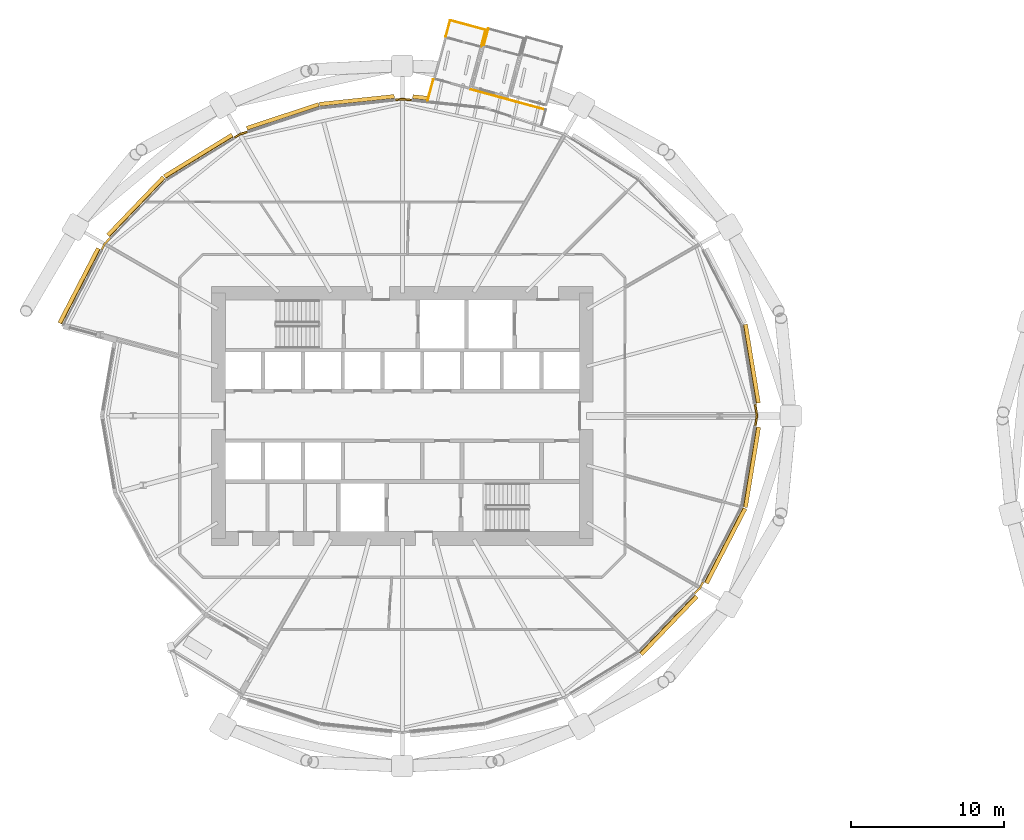
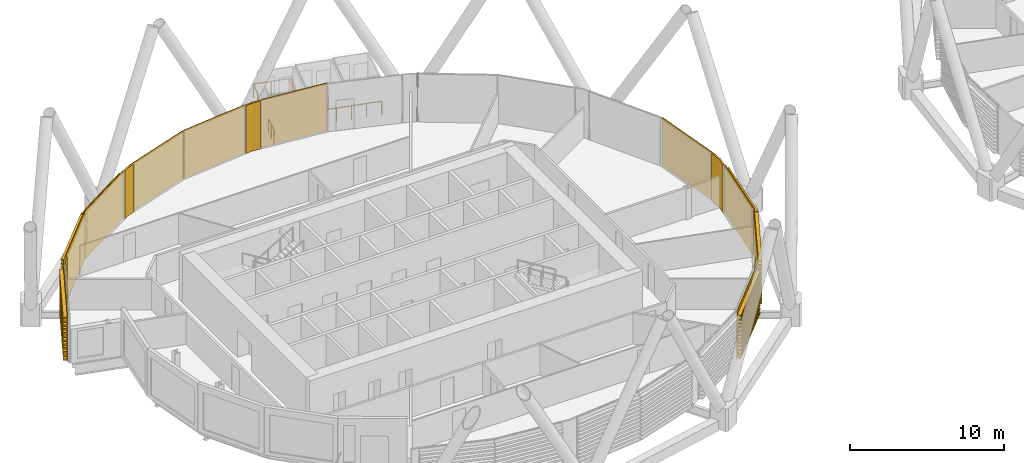
# One storey, part 36 of 40: 15 coverings, 6 railings.
"""IFC4 building model written with IfcOpenShell, lengths in metres."""

from ifc_helpers import new_model, si_unit, direction, frame, origin, origin_2d, place, context, subcontext, project, spatial, polyline, circle, outline, extrude, material, layer, layer_set, material_profile, profile_set, type_object, element, save


model = new_model("IFC4")

# Units and contexts
model_context = context("Model", 3, precision=1e-05, world=origin(), true_north=direction((0.0, 1.0)))
body_context = subcontext(model_context, "Body", "Model", "MODEL_VIEW")
ifc_project = project(units=[si_unit("LENGTHUNIT", "METRE"), si_unit("AREAUNIT", "SQUARE_METRE"), si_unit("VOLUMEUNIT", "CUBIC_METRE"), si_unit("PLANEANGLEUNIT", "RADIAN"), si_unit("MASSUNIT", "GRAM", prefix="KILO")], contexts=[model_context])

# Site, building, storey
site_placement = place(None, origin())
site = spatial("IfcSite", under=ifc_project, at=site_placement, CompositionType="ELEMENT")
building_placement = place(site_placement, origin())
building = spatial("IfcBuilding", under=site, at=building_placement, Name="Rimbun Link Towers", CompositionType="ELEMENT")
storey_placement = place(building_placement, frame((0.0, 0.0, 52.800048828125)))
storey = spatial("IfcBuildingStorey", under=building, at=storey_placement, Name="L12", CompositionType="ELEMENT", Elevation=52.800048828125)

# Railings
ifc_material_1 = material(Name="Stainless steel grade 316", Category="steel")
railing_type = type_object("IfcRailingType", Name="GUARD stainless rail and posts", PredefinedType="GUARDRAIL", material=ifc_material_1)
railing_1_placement = place(storey_placement, frame((-26.60498046875, 24.107177734375, 0.0)))
element("IfcRailing", 1, at=railing_1_placement, inside=storey, type_object=railing_type, Name="GUARD D121.01 balcony", PredefinedType="GUARDRAIL", context=body_context, shape_type="SweptSolid", body=[
    extrude(circle(Radius=0.02392578125, at=origin_2d()), frame((0.0, 0.0, 1.076171875), z_axis=(0.261708438276, 0.965146980172, 0.0), x_axis=(-0.965146980172, 0.261708438276, 0.0)), (0.0, 0.0, 1.0), 1.099853515625),
    extrude(circle(Radius=0.02099609375, at=origin_2d()), origin(), (0.0, 0.0, 1.0), 1.052001953125),
    extrude(circle(Radius=0.02099609375, at=origin_2d()), frame((0.287841796875, 1.0615234375, 0.0)), (0.0, 0.0, 1.0), 1.052001953125),
])
railing_2_placement = place(storey_placement, frame((-26.317138671875, 25.168701171875, 0.0)))
element("IfcRailing", 2, at=railing_2_placement, inside=storey, type_object=railing_type, Name="GUARD D121.01 balcony", PredefinedType="GUARDRAIL", context=body_context, shape_type="SweptSolid", body=[
    extrude(circle(Radius=0.02392578125, at=origin_2d()), frame((0.0, 0.0, 1.076171875), z_axis=(-0.965108089312, 0.261851820585, 0.0), x_axis=(-0.261851820585, -0.965108089312, 0.0)), (0.0, 0.0, 1.0), 2.39990234375),
    extrude(circle(Radius=0.02099609375, at=origin_2d()), origin(), (0.0, 0.0, 1.0), 1.052001953125),
    extrude(circle(Radius=0.02099609375, at=origin_2d()), frame((-1.158203125, 0.314208984375, 0.0)), (0.0, 0.0, 1.0), 1.052001953125),
    extrude(circle(Radius=0.02099609375, at=origin_2d()), frame((-2.316162109375, 0.62841796875, 0.0)), (0.0, 0.0, 1.0), 1.052001953125),
])
for number, where, name in (
    (3, (-28.63330078125, 25.797119140625, 0.0), "GUARD D121.01 balcony"),
    (4, (-26.1435546875, 25.24560546875, 0.0), "GUARD D121.02 balcony"),
):
    element("IfcRailing", number, at=place(storey_placement, frame(where)), inside=storey, type_object=railing_type, Name=name, PredefinedType="GUARDRAIL", context=body_context, shape_type="SweptSolid", body=[
        extrude(circle(Radius=0.02392578125, at=origin_2d()), frame((0.0, 0.0, 1.076171875), z_axis=(-0.261915191828, -0.965090893279, 0.0), x_axis=(0.965090893279, -0.261915191828, 0.0)), (0.0, 0.0, 1.0), 1.099853515625),
        extrude(circle(Radius=0.02099609375, at=origin_2d()), origin(), (0.0, 0.0, 1.0), 1.052001953125),
        extrude(circle(Radius=0.02099609375, at=origin_2d()), frame((-0.2880859375, -1.0615234375, 0.0)), (0.0, 0.0, 1.0), 1.052001953125),
    ])
railing_3_placement = place(storey_placement, frame((-29.72900390625, 21.949951171875, 0.0)))
element("IfcRailing", 5, at=railing_3_placement, inside=storey, type_object=railing_type, Name="GUARD D121 gallery", PredefinedType="GUARDRAIL", context=body_context, shape_type="SweptSolid", body=[
    extrude(circle(Radius=0.02392578125, at=origin_2d()), frame((0.0, 0.0, 1.076171875), z_axis=(-0.26175460682, -0.965134459963, 0.0), x_axis=(0.965134459963, -0.26175460682, 0.0)), (0.0, 0.0, 1.0), 1.42529296875),
    extrude(circle(Radius=0.02099609375, at=origin_2d()), origin(), (0.0, 0.0, 1.0), 1.052001953125),
    extrude(circle(Radius=0.02099609375, at=origin_2d()), frame((-0.1865234375, -0.687744140625, 0.0)), (0.0, 0.0, 1.0), 1.052001953125),
    extrude(circle(Radius=0.02099609375, at=origin_2d()), frame((-0.373046875, -1.37548828125, 0.0)), (0.0, 0.0, 1.0), 1.052001953125),
])
railing_4_placement = place(storey_placement, frame((-27.287353515625, 21.287353515625, 0.0)))
element("IfcRailing", 6, at=railing_4_placement, inside=storey, type_object=railing_type, Name="GUARD D121 gallery", PredefinedType="GUARDRAIL", context=body_context, shape_type="SweptSolid", body=[
    extrude(circle(Radius=0.02392578125, at=origin_2d()), frame((0.0, 0.0, 1.076171875), z_axis=(0.965105644262, -0.261860832149, 0.0), x_axis=(0.261860832149, 0.965105644262, 0.0)), (0.0, 0.0, 1.0), 5.064453125),
    extrude(circle(Radius=0.02099609375, at=origin_2d()), origin(), (0.0, 0.0, 1.0), 1.052001953125),
    extrude(circle(Radius=0.02099609375, at=origin_2d()), frame((0.9775390625, -0.26513671875, 0.0)), (0.0, 0.0, 1.0), 1.052001953125),
    extrude(circle(Radius=0.02099609375, at=origin_2d()), frame((1.955078125, -0.530517578125, 0.0)), (0.0, 0.0, 1.0), 1.052001953125),
    extrude(circle(Radius=0.02099609375, at=origin_2d()), frame((2.9326171875, -0.795654296875, 0.0)), (0.0, 0.0, 1.0), 1.052001953125),
    extrude(circle(Radius=0.02099609375, at=origin_2d()), frame((3.91015625, -1.06103515625, 0.0)), (0.0, 0.0, 1.0), 1.052001953125),
    extrude(circle(Radius=0.02099609375, at=origin_2d()), frame((4.8876953125, -1.326171875, 0.0)), (0.0, 0.0, 1.0), 1.052001953125),
])

# Coverings
ifc_material_2 = material(Name="Terracotta", Category="masonry")
ifc_layer = layer(ifc_material_2, 0.1201171875)
ifc_layer_set = layer_set([ifc_layer], Name="LINK PIER terracotta cladding 120")
covering_type_1 = type_object("IfcCoveringType", Name="LINK PIER terracotta cladding 120", PredefinedType="CLADDING", material=ifc_layer_set)
covering_1_placement = place(storey_placement, origin())
element("IfcCovering", 7, at=covering_1_placement, inside=storey, type_object=covering_type_1, Name="LINK PIER cladding", PredefinedType="CLADDING", context=body_context, shape_type="SweptSolid", body=[
    extrude(outline(polyline([(-8.803955078125, 0.759765625), (-8.678955078125, 0.0), (-8.787841796875, -0.6611328125), (-8.669189453125, -0.6806640625), (-8.557373046875, 0.0), (-8.685546875, 0.779296875), (-8.803955078125, 0.759765625)])), origin(), (0.0, 0.0, 1.0), 3.800048828125),
])
covering_2_placement = place(storey_placement, origin())
element("IfcCovering", 8, at=covering_2_placement, inside=storey, type_object=covering_type_1, Name="LINK PIER cladding", PredefinedType="CLADDING", context=body_context, shape_type="SweptSolid", body=[
    extrude(outline(polyline([(-32.217529296875, 20.5498046875), (-31.75, 20.59912109375), (-31.13330078125, 20.5341796875), (-31.120849609375, 20.653564453125), (-31.75, 20.7197265625), (-32.22998046875, 20.669189453125), (-32.217529296875, 20.5498046875)])), origin(), (0.0, 0.0, 1.0), 3.800048828125),
])
covering_3_placement = place(storey_placement, origin())
element("IfcCovering", 9, at=covering_3_placement, inside=storey, type_object=covering_type_1, Name="LINK PIER cladding", PredefinedType="CLADDING", context=body_context, shape_type="SweptSolid", body=[
    extrude(outline(polyline([(-42.678955078125, 18.08984375), (-42.321044921875, 18.3095703125), (-41.827392578125, 18.47314453125), (-41.865234375, 18.5869140625), (-42.371826171875, 18.4189453125), (-42.74169921875, 18.19189453125), (-42.678955078125, 18.08984375)])), origin(), (0.0, 0.0, 1.0), 3.800048828125),
])
covering_4_placement = place(storey_placement, origin())
element("IfcCovering", 10, at=covering_4_placement, inside=storey, type_object=covering_type_1, Name="LINK PIER cladding", PredefinedType="CLADDING", context=body_context, shape_type="SweptSolid", body=[
    extrude(outline(polyline([(-51.31640625, 10.812255859375), (-51.12353515625, 11.185302734375), (-50.763671875, 11.560546875), (-50.850341796875, 11.643798828125), (-51.22216796875, 11.255859375), (-51.423095703125, 10.867431640625), (-51.31640625, 10.812255859375)])), origin(), (0.0, 0.0, 1.0), 3.800048828125),
])
covering_5_placement = place(storey_placement, origin())
element("IfcCovering", 11, at=covering_5_placement, inside=storey, type_object=covering_type_1, Name="LINK PIER cladding", PredefinedType="CLADDING", context=body_context, shape_type="SweptSolid", body=[
    extrude(outline(polyline([(-12.18359375, -10.812255859375), (-12.37646484375, -11.185302734375), (-12.736328125, -11.560546875), (-12.649658203125, -11.643798828125), (-12.27783203125, -11.255859375), (-12.076904296875, -10.867431640625), (-12.18359375, -10.812255859375)])), origin(), (0.0, 0.0, 1.0), 3.800048828125),
])
ifc_material_3 = material(Name="Terracotta", Category="masonry")
ifc_material_profile = material_profile(ifc_material_3, outline(polyline([(0.123046875, 0.0), (0.1630859375, 0.0), (0.1630859375, 0.10009765625), (0.423095703125, 0.10009765625), (0.423095703125, 0.219970703125), (0.1630859375, 0.219970703125), (0.1630859375, 0.39990234375), (0.423095703125, 0.39990234375), (0.423095703125, 0.52001953125), (0.1630859375, 0.52001953125), (0.1630859375, 0.699951171875), (0.423095703125, 0.699951171875), (0.423095703125, 0.820068359375), (0.1630859375, 0.820068359375), (0.1630859375, 1.0), (0.423095703125, 1.0), (0.423095703125, 1.1201171875), (0.1630859375, 1.1201171875), (0.1630859375, 1.300048828125), (0.423095703125, 1.300048828125), (0.423095703125, 1.419921875), (0.1630859375, 1.419921875), (0.1630859375, 1.60009765625), (0.423095703125, 1.60009765625), (0.423095703125, 1.719970703125), (0.1630859375, 1.719970703125), (0.1630859375, 1.89990234375), (0.423095703125, 1.89990234375), (0.423095703125, 2.02001953125), (0.1630859375, 2.02001953125), (0.1630859375, 2.199951171875), (0.423095703125, 2.199951171875), (0.423095703125, 2.320068359375), (0.1630859375, 2.320068359375), (0.1630859375, 2.5), (0.423095703125, 2.5), (0.423095703125, 2.6201171875), (0.1630859375, 2.6201171875), (0.1630859375, 2.800048828125), (0.423095703125, 2.800048828125), (0.423095703125, 2.919921875), (0.1630859375, 2.919921875), (0.1630859375, 3.10009765625), (0.423095703125, 3.10009765625), (0.423095703125, 3.219970703125), (0.1630859375, 3.219970703125), (0.1630859375, 3.39990234375), (0.423095703125, 3.39990234375), (0.423095703125, 3.52001953125), (0.1630859375, 3.52001953125), (0.1630859375, 3.800048828125), (0.123046875, 3.800048828125), (0.123046875, 0.0)])), Name="BAGUETTE 120X300")
ifc_profile_set = profile_set([ifc_material_profile], Name="Terracotta")
covering_type_2 = type_object("IfcCoveringType", Name="TERRACOTTA BAGUETTE 120X300 H3800", PredefinedType="CLADDING", material=ifc_profile_set)
covering_6_placement = place(storey_placement, frame((-9.652587890625, 5.9208984375, 0.0), z_axis=(0.162244170426, -0.986750641836, 0.0), x_axis=(0.986750641836, 0.162244170426, 0.0)))
element("IfcCovering", 12, at=covering_6_placement, inside=storey, type_object=covering_type_2, Name="TERRACOTTA BAGUETTE", PredefinedType="CLADDING", context=body_context, shape_type="SweptSolid", body=[
    extrude(outline(polyline([(0.123046875, 0.0), (0.1630859375, 0.0), (0.1630859375, 0.10009765625), (0.423095703125, 0.10009765625), (0.423095703125, 0.219970703125), (0.1630859375, 0.219970703125), (0.1630859375, 0.39990234375), (0.423095703125, 0.39990234375), (0.423095703125, 0.52001953125), (0.1630859375, 0.52001953125), (0.1630859375, 0.699951171875), (0.423095703125, 0.699951171875), (0.423095703125, 0.820068359375), (0.1630859375, 0.820068359375), (0.1630859375, 1.0), (0.423095703125, 1.0), (0.423095703125, 1.1201171875), (0.1630859375, 1.1201171875), (0.1630859375, 1.300048828125), (0.423095703125, 1.300048828125), (0.423095703125, 1.419921875), (0.1630859375, 1.419921875), (0.1630859375, 1.60009765625), (0.423095703125, 1.60009765625), (0.423095703125, 1.719970703125), (0.1630859375, 1.719970703125), (0.1630859375, 1.89990234375), (0.423095703125, 1.89990234375), (0.423095703125, 2.02001953125), (0.1630859375, 2.02001953125), (0.1630859375, 2.199951171875), (0.423095703125, 2.199951171875), (0.423095703125, 2.320068359375), (0.1630859375, 2.320068359375), (0.1630859375, 2.5), (0.423095703125, 2.5), (0.423095703125, 2.6201171875), (0.1630859375, 2.6201171875), (0.1630859375, 2.800048828125), (0.423095703125, 2.800048828125), (0.423095703125, 2.919921875), (0.1630859375, 2.919921875), (0.1630859375, 3.10009765625), (0.423095703125, 3.10009765625), (0.423095703125, 3.219970703125), (0.1630859375, 3.219970703125), (0.1630859375, 3.39990234375), (0.423095703125, 3.39990234375), (0.423095703125, 3.52001953125), (0.1630859375, 3.52001953125), (0.1630859375, 3.800048828125), (0.123046875, 3.800048828125), (0.123046875, 0.0)])), origin(), (0.0, 0.0, 1.0), 5.200439453125),
])
covering_7_placement = place(storey_placement, frame((-31.103515625, 20.531005859375, 0.0), z_axis=(0.994498406218, -0.104751706576, 0.0), x_axis=(0.104751706576, 0.994498406218, 0.0)))
element("IfcCovering", 13, at=covering_7_placement, inside=storey, type_object=covering_type_2, Name="TERRACOTTA BAGUETTE", PredefinedType="CLADDING", context=body_context, shape_type="SweptSolid", body=[
    extrude(outline(polyline([(0.123046875, 0.0), (0.1630859375, 0.0), (0.1630859375, 0.10009765625), (0.423095703125, 0.10009765625), (0.423095703125, 0.219970703125), (0.1630859375, 0.219970703125), (0.1630859375, 0.39990234375), (0.423095703125, 0.39990234375), (0.423095703125, 0.52001953125), (0.1630859375, 0.52001953125), (0.1630859375, 0.699951171875), (0.423095703125, 0.699951171875), (0.423095703125, 0.820068359375), (0.1630859375, 0.820068359375), (0.1630859375, 1.0), (0.423095703125, 1.0), (0.423095703125, 1.1201171875), (0.1630859375, 1.1201171875), (0.1630859375, 1.300048828125), (0.423095703125, 1.300048828125), (0.423095703125, 1.419921875), (0.1630859375, 1.419921875), (0.1630859375, 1.60009765625), (0.423095703125, 1.60009765625), (0.423095703125, 1.719970703125), (0.1630859375, 1.719970703125), (0.1630859375, 1.89990234375), (0.423095703125, 1.89990234375), (0.423095703125, 2.02001953125), (0.1630859375, 2.02001953125), (0.1630859375, 2.199951171875), (0.423095703125, 2.199951171875), (0.423095703125, 2.320068359375), (0.1630859375, 2.320068359375), (0.1630859375, 2.5), (0.423095703125, 2.5), (0.423095703125, 2.6201171875), (0.1630859375, 2.6201171875), (0.1630859375, 2.800048828125), (0.423095703125, 2.800048828125), (0.423095703125, 2.919921875), (0.1630859375, 2.919921875), (0.1630859375, 3.10009765625), (0.423095703125, 3.10009765625), (0.423095703125, 3.219970703125), (0.1630859375, 3.219970703125), (0.1630859375, 3.39990234375), (0.423095703125, 3.39990234375), (0.423095703125, 3.52001953125), (0.1630859375, 3.52001953125), (0.1630859375, 3.800048828125), (0.123046875, 3.800048828125), (0.123046875, 0.0)])), origin(), (0.0, 0.0, 1.0), 4.74755859375),
])
covering_8_placement = place(storey_placement, frame((-37.117919921875, 20.03369140625, 0.0), z_axis=(0.994500261874, 0.104734087729, 0.0), x_axis=(-0.104734087729, 0.994500261874, 0.0)))
element("IfcCovering", 14, at=covering_8_placement, inside=storey, type_object=covering_type_2, Name="TERRACOTTA BAGUETTE", PredefinedType="CLADDING", context=body_context, shape_type="SweptSolid", body=[
    extrude(outline(polyline([(0.123046875, 0.0), (0.1630859375, 0.0), (0.1630859375, 0.10009765625), (0.423095703125, 0.10009765625), (0.423095703125, 0.219970703125), (0.1630859375, 0.219970703125), (0.1630859375, 0.39990234375), (0.423095703125, 0.39990234375), (0.423095703125, 0.52001953125), (0.1630859375, 0.52001953125), (0.1630859375, 0.699951171875), (0.423095703125, 0.699951171875), (0.423095703125, 0.820068359375), (0.1630859375, 0.820068359375), (0.1630859375, 1.0), (0.423095703125, 1.0), (0.423095703125, 1.1201171875), (0.1630859375, 1.1201171875), (0.1630859375, 1.300048828125), (0.423095703125, 1.300048828125), (0.423095703125, 1.419921875), (0.1630859375, 1.419921875), (0.1630859375, 1.60009765625), (0.423095703125, 1.60009765625), (0.423095703125, 1.719970703125), (0.1630859375, 1.719970703125), (0.1630859375, 1.89990234375), (0.423095703125, 1.89990234375), (0.423095703125, 2.02001953125), (0.1630859375, 2.02001953125), (0.1630859375, 2.199951171875), (0.423095703125, 2.199951171875), (0.423095703125, 2.320068359375), (0.1630859375, 2.320068359375), (0.1630859375, 2.5), (0.423095703125, 2.5), (0.423095703125, 2.6201171875), (0.1630859375, 2.6201171875), (0.1630859375, 2.800048828125), (0.423095703125, 2.800048828125), (0.423095703125, 2.919921875), (0.1630859375, 2.919921875), (0.1630859375, 3.10009765625), (0.423095703125, 3.10009765625), (0.423095703125, 3.219970703125), (0.1630859375, 3.219970703125), (0.1630859375, 3.39990234375), (0.423095703125, 3.39990234375), (0.423095703125, 3.52001953125), (0.1630859375, 3.52001953125), (0.1630859375, 3.800048828125), (0.123046875, 3.800048828125), (0.123046875, 0.0)])), origin(), (0.0, 0.0, 1.0), 4.8974609375),
])
covering_9_placement = place(storey_placement, frame((-41.798828125, 18.482421875, 0.0), z_axis=(0.949231412739, 0.314578646875, 0.0), x_axis=(-0.314578646875, 0.949231412739, 0.0)))
element("IfcCovering", 15, at=covering_9_placement, inside=storey, type_object=covering_type_2, Name="TERRACOTTA BAGUETTE", PredefinedType="CLADDING", context=body_context, shape_type="SweptSolid", body=[
    extrude(outline(polyline([(0.123046875, 0.0), (0.1630859375, 0.0), (0.1630859375, 0.10009765625), (0.423095703125, 0.10009765625), (0.423095703125, 0.219970703125), (0.1630859375, 0.219970703125), (0.1630859375, 0.39990234375), (0.423095703125, 0.39990234375), (0.423095703125, 0.52001953125), (0.1630859375, 0.52001953125), (0.1630859375, 0.699951171875), (0.423095703125, 0.699951171875), (0.423095703125, 0.820068359375), (0.1630859375, 0.820068359375), (0.1630859375, 1.0), (0.423095703125, 1.0), (0.423095703125, 1.1201171875), (0.1630859375, 1.1201171875), (0.1630859375, 1.300048828125), (0.423095703125, 1.300048828125), (0.423095703125, 1.419921875), (0.1630859375, 1.419921875), (0.1630859375, 1.60009765625), (0.423095703125, 1.60009765625), (0.423095703125, 1.719970703125), (0.1630859375, 1.719970703125), (0.1630859375, 1.89990234375), (0.423095703125, 1.89990234375), (0.423095703125, 2.02001953125), (0.1630859375, 2.02001953125), (0.1630859375, 2.199951171875), (0.423095703125, 2.199951171875), (0.423095703125, 2.320068359375), (0.1630859375, 2.320068359375), (0.1630859375, 2.5), (0.423095703125, 2.5), (0.423095703125, 2.6201171875), (0.1630859375, 2.6201171875), (0.1630859375, 2.800048828125), (0.423095703125, 2.800048828125), (0.423095703125, 2.919921875), (0.1630859375, 2.919921875), (0.1630859375, 3.10009765625), (0.423095703125, 3.10009765625), (0.423095703125, 3.219970703125), (0.1630859375, 3.219970703125), (0.1630859375, 3.39990234375), (0.423095703125, 3.39990234375), (0.423095703125, 3.52001953125), (0.1630859375, 3.52001953125), (0.1630859375, 3.800048828125), (0.123046875, 3.800048828125), (0.123046875, 0.0)])), origin(), (0.0, 0.0, 1.0), 4.93115234375),
])
covering_10_placement = place(storey_placement, frame((-47.115478515625, 15.365478515625, 0.0), z_axis=(0.852166428859, 0.523270845285, 0.0), x_axis=(-0.523270845285, 0.852166428859, 0.0)))
element("IfcCovering", 16, at=covering_10_placement, inside=storey, type_object=covering_type_2, Name="TERRACOTTA BAGUETTE", PredefinedType="CLADDING", context=body_context, shape_type="SweptSolid", body=[
    extrude(outline(polyline([(0.123046875, 0.0), (0.1630859375, 0.0), (0.1630859375, 0.10009765625), (0.423095703125, 0.10009765625), (0.423095703125, 0.219970703125), (0.1630859375, 0.219970703125), (0.1630859375, 0.39990234375), (0.423095703125, 0.39990234375), (0.423095703125, 0.52001953125), (0.1630859375, 0.52001953125), (0.1630859375, 0.699951171875), (0.423095703125, 0.699951171875), (0.423095703125, 0.820068359375), (0.1630859375, 0.820068359375), (0.1630859375, 1.0), (0.423095703125, 1.0), (0.423095703125, 1.1201171875), (0.1630859375, 1.1201171875), (0.1630859375, 1.300048828125), (0.423095703125, 1.300048828125), (0.423095703125, 1.419921875), (0.1630859375, 1.419921875), (0.1630859375, 1.60009765625), (0.423095703125, 1.60009765625), (0.423095703125, 1.719970703125), (0.1630859375, 1.719970703125), (0.1630859375, 1.89990234375), (0.423095703125, 1.89990234375), (0.423095703125, 2.02001953125), (0.1630859375, 2.02001953125), (0.1630859375, 2.199951171875), (0.423095703125, 2.199951171875), (0.423095703125, 2.320068359375), (0.1630859375, 2.320068359375), (0.1630859375, 2.5), (0.423095703125, 2.5), (0.423095703125, 2.6201171875), (0.1630859375, 2.6201171875), (0.1630859375, 2.800048828125), (0.423095703125, 2.800048828125), (0.423095703125, 2.919921875), (0.1630859375, 2.919921875), (0.1630859375, 3.10009765625), (0.423095703125, 3.10009765625), (0.423095703125, 3.219970703125), (0.1630859375, 3.219970703125), (0.1630859375, 3.39990234375), (0.423095703125, 3.39990234375), (0.423095703125, 3.52001953125), (0.1630859375, 3.52001953125), (0.1630859375, 3.800048828125), (0.123046875, 3.800048828125), (0.123046875, 0.0)])), origin(), (0.0, 0.0, 1.0), 5.176025390625),
])
covering_11_placement = place(storey_placement, frame((-50.742919921875, 11.582275390625, 0.0), z_axis=(0.692091493196, 0.721809784531, 0.0), x_axis=(-0.721809784531, 0.692091493196, 0.0)))
element("IfcCovering", 17, at=covering_11_placement, inside=storey, type_object=covering_type_2, Name="TERRACOTTA BAGUETTE", PredefinedType="CLADDING", context=body_context, shape_type="SweptSolid", body=[
    extrude(outline(polyline([(0.123046875, 0.0), (0.1630859375, 0.0), (0.1630859375, 0.10009765625), (0.423095703125, 0.10009765625), (0.423095703125, 0.219970703125), (0.1630859375, 0.219970703125), (0.1630859375, 0.39990234375), (0.423095703125, 0.39990234375), (0.423095703125, 0.52001953125), (0.1630859375, 0.52001953125), (0.1630859375, 0.699951171875), (0.423095703125, 0.699951171875), (0.423095703125, 0.820068359375), (0.1630859375, 0.820068359375), (0.1630859375, 1.0), (0.423095703125, 1.0), (0.423095703125, 1.1201171875), (0.1630859375, 1.1201171875), (0.1630859375, 1.300048828125), (0.423095703125, 1.300048828125), (0.423095703125, 1.419921875), (0.1630859375, 1.419921875), (0.1630859375, 1.60009765625), (0.423095703125, 1.60009765625), (0.423095703125, 1.719970703125), (0.1630859375, 1.719970703125), (0.1630859375, 1.89990234375), (0.423095703125, 1.89990234375), (0.423095703125, 2.02001953125), (0.1630859375, 2.02001953125), (0.1630859375, 2.199951171875), (0.423095703125, 2.199951171875), (0.423095703125, 2.320068359375), (0.1630859375, 2.320068359375), (0.1630859375, 2.5), (0.423095703125, 2.5), (0.423095703125, 2.6201171875), (0.1630859375, 2.6201171875), (0.1630859375, 2.800048828125), (0.423095703125, 2.800048828125), (0.423095703125, 2.919921875), (0.1630859375, 2.919921875), (0.1630859375, 3.10009765625), (0.423095703125, 3.10009765625), (0.423095703125, 3.219970703125), (0.1630859375, 3.219970703125), (0.1630859375, 3.39990234375), (0.423095703125, 3.39990234375), (0.423095703125, 3.52001953125), (0.1630859375, 3.52001953125), (0.1630859375, 3.800048828125), (0.123046875, 3.800048828125), (0.123046875, 0.0)])), origin(), (0.0, 0.0, 1.0), 5.2412109375),
])
covering_12_placement = place(storey_placement, frame((-53.847412109375, 5.9208984375, 0.0), z_axis=(0.459544172311, 0.88815491537, 0.0), x_axis=(-0.88815491537, 0.459544172311, 0.0)))
element("IfcCovering", 18, at=covering_12_placement, inside=storey, type_object=covering_type_2, Name="TERRACOTTA BAGUETTE", PredefinedType="CLADDING", context=body_context, shape_type="SweptSolid", body=[
    extrude(outline(polyline([(0.123046875, 0.0), (0.1630859375, 0.0), (0.1630859375, 0.10009765625), (0.423095703125, 0.10009765625), (0.423095703125, 0.219970703125), (0.1630859375, 0.219970703125), (0.1630859375, 0.39990234375), (0.423095703125, 0.39990234375), (0.423095703125, 0.52001953125), (0.1630859375, 0.52001953125), (0.1630859375, 0.699951171875), (0.423095703125, 0.699951171875), (0.423095703125, 0.820068359375), (0.1630859375, 0.820068359375), (0.1630859375, 1.0), (0.423095703125, 1.0), (0.423095703125, 1.1201171875), (0.1630859375, 1.1201171875), (0.1630859375, 1.300048828125), (0.423095703125, 1.300048828125), (0.423095703125, 1.419921875), (0.1630859375, 1.419921875), (0.1630859375, 1.60009765625), (0.423095703125, 1.60009765625), (0.423095703125, 1.719970703125), (0.1630859375, 1.719970703125), (0.1630859375, 1.89990234375), (0.423095703125, 1.89990234375), (0.423095703125, 2.02001953125), (0.1630859375, 2.02001953125), (0.1630859375, 2.199951171875), (0.423095703125, 2.199951171875), (0.423095703125, 2.320068359375), (0.1630859375, 2.320068359375), (0.1630859375, 2.5), (0.423095703125, 2.5), (0.423095703125, 2.6201171875), (0.1630859375, 2.6201171875), (0.1630859375, 2.800048828125), (0.423095703125, 2.800048828125), (0.423095703125, 2.919921875), (0.1630859375, 2.919921875), (0.1630859375, 3.10009765625), (0.423095703125, 3.10009765625), (0.423095703125, 3.219970703125), (0.1630859375, 3.219970703125), (0.1630859375, 3.39990234375), (0.423095703125, 3.39990234375), (0.423095703125, 3.52001953125), (0.1630859375, 3.52001953125), (0.1630859375, 3.800048828125), (0.123046875, 3.800048828125), (0.123046875, 0.0)])), origin(), (0.0, 0.0, 1.0), 5.477294921875),
])
covering_13_placement = place(storey_placement, frame((-12.757080078125, -11.582275390625, 0.0), z_axis=(-0.692091493196, -0.721809784531, 0.0), x_axis=(0.721809784531, -0.692091493196, 0.0)))
element("IfcCovering", 19, at=covering_13_placement, inside=storey, type_object=covering_type_2, Name="TERRACOTTA BAGUETTE", PredefinedType="CLADDING", context=body_context, shape_type="SweptSolid", body=[
    extrude(outline(polyline([(0.123046875, 0.0), (0.1630859375, 0.0), (0.1630859375, 0.10009765625), (0.423095703125, 0.10009765625), (0.423095703125, 0.219970703125), (0.1630859375, 0.219970703125), (0.1630859375, 0.39990234375), (0.423095703125, 0.39990234375), (0.423095703125, 0.52001953125), (0.1630859375, 0.52001953125), (0.1630859375, 0.699951171875), (0.423095703125, 0.699951171875), (0.423095703125, 0.820068359375), (0.1630859375, 0.820068359375), (0.1630859375, 1.0), (0.423095703125, 1.0), (0.423095703125, 1.1201171875), (0.1630859375, 1.1201171875), (0.1630859375, 1.300048828125), (0.423095703125, 1.300048828125), (0.423095703125, 1.419921875), (0.1630859375, 1.419921875), (0.1630859375, 1.60009765625), (0.423095703125, 1.60009765625), (0.423095703125, 1.719970703125), (0.1630859375, 1.719970703125), (0.1630859375, 1.89990234375), (0.423095703125, 1.89990234375), (0.423095703125, 2.02001953125), (0.1630859375, 2.02001953125), (0.1630859375, 2.199951171875), (0.423095703125, 2.199951171875), (0.423095703125, 2.320068359375), (0.1630859375, 2.320068359375), (0.1630859375, 2.5), (0.423095703125, 2.5), (0.423095703125, 2.6201171875), (0.1630859375, 2.6201171875), (0.1630859375, 2.800048828125), (0.423095703125, 2.800048828125), (0.423095703125, 2.919921875), (0.1630859375, 2.919921875), (0.1630859375, 3.10009765625), (0.423095703125, 3.10009765625), (0.423095703125, 3.219970703125), (0.1630859375, 3.219970703125), (0.1630859375, 3.39990234375), (0.423095703125, 3.39990234375), (0.423095703125, 3.52001953125), (0.1630859375, 3.52001953125), (0.1630859375, 3.800048828125), (0.123046875, 3.800048828125), (0.123046875, 0.0)])), origin(), (0.0, 0.0, 1.0), 5.2412109375),
])
covering_14_placement = place(storey_placement, frame((-9.652587890625, -5.9208984375, 0.0), z_axis=(-0.459544172311, -0.88815491537, 0.0), x_axis=(0.88815491537, -0.459544172311, 0.0)))
element("IfcCovering", 20, at=covering_14_placement, inside=storey, type_object=covering_type_2, Name="TERRACOTTA BAGUETTE", PredefinedType="CLADDING", context=body_context, shape_type="SweptSolid", body=[
    extrude(outline(polyline([(0.123046875, 0.0), (0.1630859375, 0.0), (0.1630859375, 0.10009765625), (0.423095703125, 0.10009765625), (0.423095703125, 0.219970703125), (0.1630859375, 0.219970703125), (0.1630859375, 0.39990234375), (0.423095703125, 0.39990234375), (0.423095703125, 0.52001953125), (0.1630859375, 0.52001953125), (0.1630859375, 0.699951171875), (0.423095703125, 0.699951171875), (0.423095703125, 0.820068359375), (0.1630859375, 0.820068359375), (0.1630859375, 1.0), (0.423095703125, 1.0), (0.423095703125, 1.1201171875), (0.1630859375, 1.1201171875), (0.1630859375, 1.300048828125), (0.423095703125, 1.300048828125), (0.423095703125, 1.419921875), (0.1630859375, 1.419921875), (0.1630859375, 1.60009765625), (0.423095703125, 1.60009765625), (0.423095703125, 1.719970703125), (0.1630859375, 1.719970703125), (0.1630859375, 1.89990234375), (0.423095703125, 1.89990234375), (0.423095703125, 2.02001953125), (0.1630859375, 2.02001953125), (0.1630859375, 2.199951171875), (0.423095703125, 2.199951171875), (0.423095703125, 2.320068359375), (0.1630859375, 2.320068359375), (0.1630859375, 2.5), (0.423095703125, 2.5), (0.423095703125, 2.6201171875), (0.1630859375, 2.6201171875), (0.1630859375, 2.800048828125), (0.423095703125, 2.800048828125), (0.423095703125, 2.919921875), (0.1630859375, 2.919921875), (0.1630859375, 3.10009765625), (0.423095703125, 3.10009765625), (0.423095703125, 3.219970703125), (0.1630859375, 3.219970703125), (0.1630859375, 3.39990234375), (0.423095703125, 3.39990234375), (0.423095703125, 3.52001953125), (0.1630859375, 3.52001953125), (0.1630859375, 3.800048828125), (0.123046875, 3.800048828125), (0.123046875, 0.0)])), origin(), (0.0, 0.0, 1.0), 5.477294921875),
])
covering_15_placement = place(storey_placement, frame((-8.79248046875, -0.690673828125, 0.0), z_axis=(-0.162269879008, -0.986746414418, 0.0), x_axis=(0.986746414418, -0.162269879008, 0.0)))
element("IfcCovering", 21, at=covering_15_placement, inside=storey, type_object=covering_type_2, Name="TERRACOTTA BAGUETTE", PredefinedType="CLADDING", context=body_context, shape_type="SweptSolid", body=[
    extrude(outline(polyline([(0.123046875, 0.0), (0.1630859375, 0.0), (0.1630859375, 0.10009765625), (0.423095703125, 0.10009765625), (0.423095703125, 0.219970703125), (0.1630859375, 0.219970703125), (0.1630859375, 0.39990234375), (0.423095703125, 0.39990234375), (0.423095703125, 0.52001953125), (0.1630859375, 0.52001953125), (0.1630859375, 0.699951171875), (0.423095703125, 0.699951171875), (0.423095703125, 0.820068359375), (0.1630859375, 0.820068359375), (0.1630859375, 1.0), (0.423095703125, 1.0), (0.423095703125, 1.1201171875), (0.1630859375, 1.1201171875), (0.1630859375, 1.300048828125), (0.423095703125, 1.300048828125), (0.423095703125, 1.419921875), (0.1630859375, 1.419921875), (0.1630859375, 1.60009765625), (0.423095703125, 1.60009765625), (0.423095703125, 1.719970703125), (0.1630859375, 1.719970703125), (0.1630859375, 1.89990234375), (0.423095703125, 1.89990234375), (0.423095703125, 2.02001953125), (0.1630859375, 2.02001953125), (0.1630859375, 2.199951171875), (0.423095703125, 2.199951171875), (0.423095703125, 2.320068359375), (0.1630859375, 2.320068359375), (0.1630859375, 2.5), (0.423095703125, 2.5), (0.423095703125, 2.6201171875), (0.1630859375, 2.6201171875), (0.1630859375, 2.800048828125), (0.423095703125, 2.800048828125), (0.423095703125, 2.919921875), (0.1630859375, 2.919921875), (0.1630859375, 3.10009765625), (0.423095703125, 3.10009765625), (0.423095703125, 3.219970703125), (0.1630859375, 3.219970703125), (0.1630859375, 3.39990234375), (0.423095703125, 3.39990234375), (0.423095703125, 3.52001953125), (0.1630859375, 3.52001953125), (0.1630859375, 3.800048828125), (0.123046875, 3.800048828125), (0.123046875, 0.0)])), origin(), (0.0, 0.0, 1.0), 5.300537109375),
])

save(model, "model.ifc")
